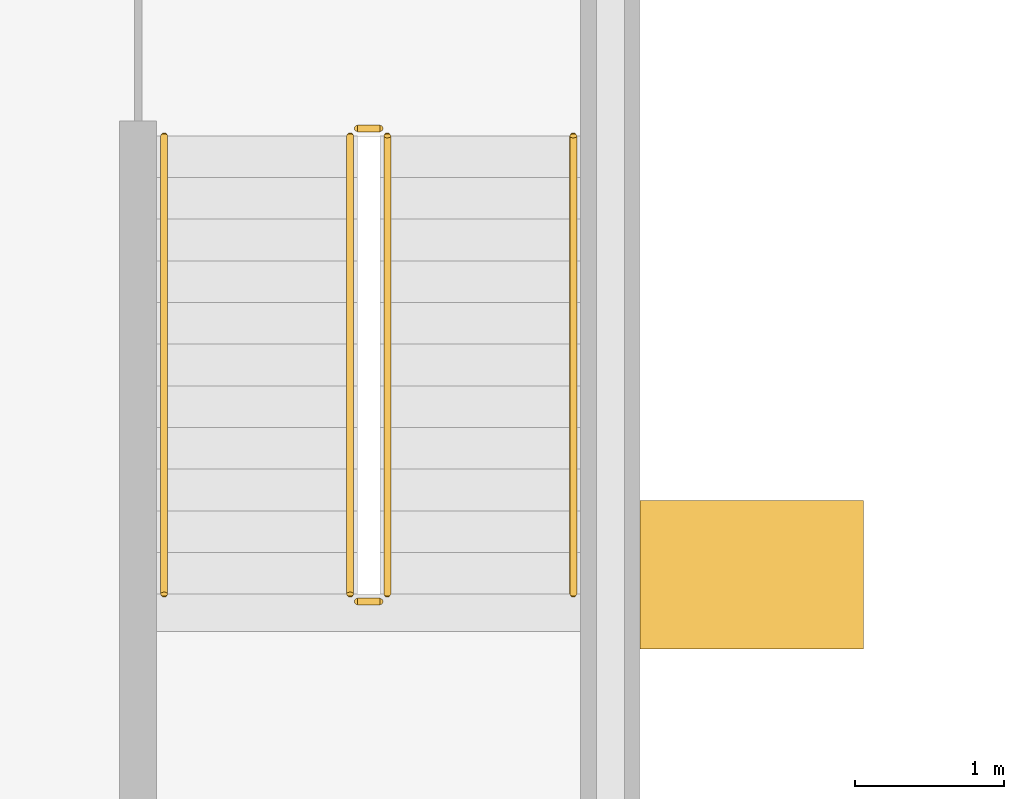
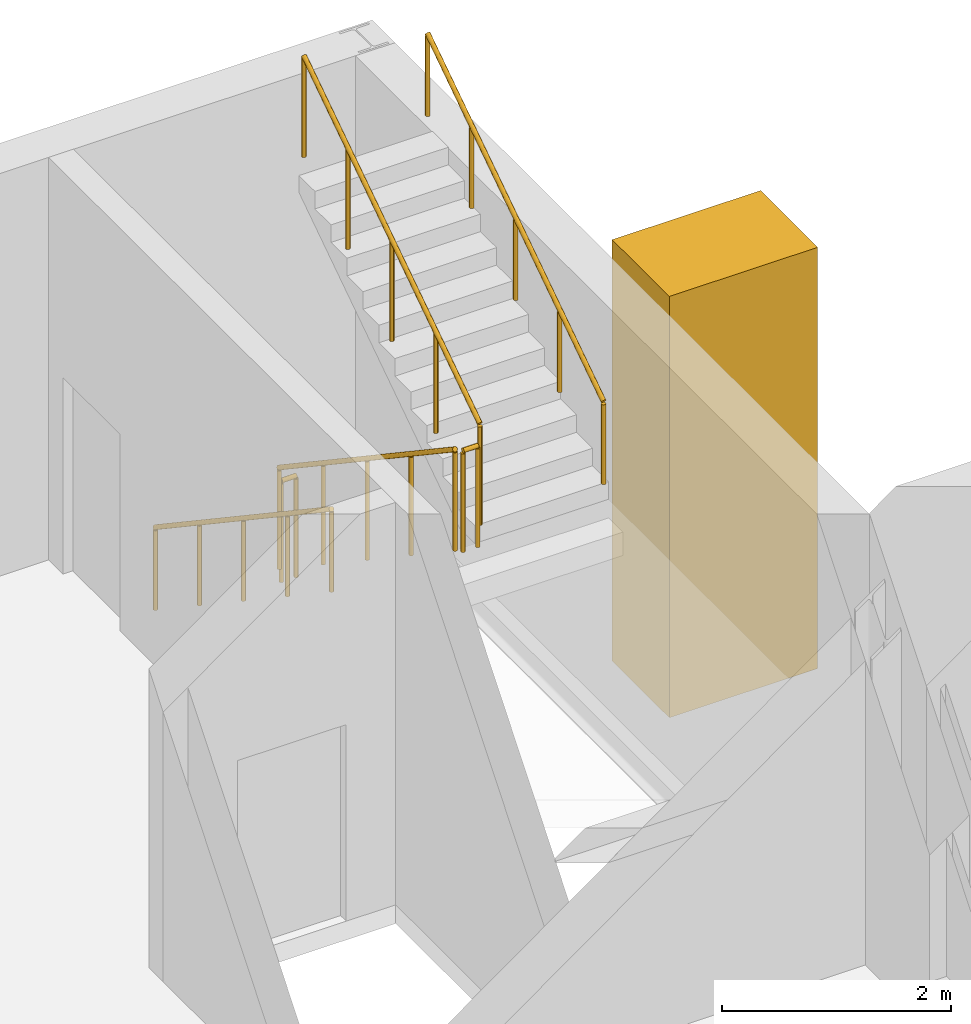
# One storey, part 132 of 134: 6 railings, 1 covering.
"""IFC4 building model written with IfcOpenShell, lengths in metres."""

from ifc_helpers import new_model, si_unit, direction, frame, origin, origin_2d, place, context, subcontext, project, spatial, polyline, circle, outline, extrude, material, type_object, element, save


model = new_model("IFC4")

# Units and contexts
model_context = context("Model", 3, precision=1e-05, world=origin(), true_north=direction((0.0, 1.0)))
body_context = subcontext(model_context, "Body", "Model", "MODEL_VIEW")
ifc_project = project(units=[si_unit("LENGTHUNIT", "METRE"), si_unit("AREAUNIT", "SQUARE_METRE"), si_unit("VOLUMEUNIT", "CUBIC_METRE"), si_unit("PLANEANGLEUNIT", "RADIAN"), si_unit("MASSUNIT", "GRAM", prefix="KILO")], contexts=[model_context])

# Site, building, storey
site_placement = place(None, origin())
site = spatial("IfcSite", under=ifc_project, at=site_placement, CompositionType="ELEMENT")
building_placement = place(site_placement, origin())
building = spatial("IfcBuilding", under=site, at=building_placement, Name="Golden Quay Civic Hall", CompositionType="ELEMENT")
storey_placement = place(building_placement, frame((0.0, 0.0, 5.39990234375)))
storey = spatial("IfcBuildingStorey", under=building, at=storey_placement, Name="L01", CompositionType="ELEMENT", Elevation=5.39990234375)

# Covering
ifc_material_1 = material(Name="Brick, dark clay facing", Category="masonry")
covering_type = type_object("IfcCoveringType", Name="Brick pier cladding 1000 x 1500", PredefinedType="CLADDING", material=ifc_material_1)
covering_placement = place(storey_placement, origin())
element("IfcCovering", 1, at=covering_placement, inside=storey, type_object=covering_type, Name="Brick pier cladding 1000 x 1500 L01 15", PredefinedType="CLADDING", context=body_context, shape_type="SweptSolid", body=[
    extrude(outline(polyline([(171.199951171875, 94.0), (171.199951171875, 95.0), (172.699951171875, 95.0), (172.699951171875, 94.0), (171.199951171875, 94.0)])), origin(), (0.0, 0.0, 1.0), 4.5),
])

# Railings
ifc_material_2 = material(Name="Steel S355", Category="steel")
railing_type_1 = type_object("IfcRailingType", Name="Steel guard 1100", PredefinedType="GUARDRAIL", material=ifc_material_2)
railing_1_placement = place(storey_placement, frame((169.25, 97.449951171875, 0.1875)))
element("IfcRailing", 2, at=railing_1_placement, inside=storey, type_object=railing_type_1, Name="L01 LB-STE stair guard 1", PredefinedType="GUARDRAIL", context=body_context, shape_type="SweptSolid", body=[
    extrude(circle(Radius=0.02392578125, at=origin_2d()), frame((0.0, 0.0, 1.076171875), z_axis=(0.0, -0.830893310487, 0.556431762742), x_axis=(1.0, 0.0, 0.0)), (0.0, 0.0, 1.0), 3.70654296875),
    extrude(circle(Radius=0.02099609375, at=origin_2d()), origin(), (0.0, 0.0, 1.0), 1.052001953125),
    extrude(circle(Radius=0.02099609375, at=origin_2d()), frame((0.0, -0.77001953125, 0.515625)), (0.0, 0.0, 1.0), 1.052001953125),
    extrude(circle(Radius=0.02099609375, at=origin_2d()), frame((0.0, -1.5400390625, 1.03125)), (0.0, 0.0, 1.0), 1.052001953125),
    extrude(circle(Radius=0.02099609375, at=origin_2d()), frame((0.0, -2.309814453125, 1.546875)), (0.0, 0.0, 1.0), 1.052001953125),
    extrude(circle(Radius=0.02099609375, at=origin_2d()), frame((0.0, -3.079833984375, 2.0625)), (0.0, 0.0, 1.0), 1.052001953125),
])
railing_2_placement = place(storey_placement, frame((169.300048828125, 94.320068359375, 2.25)))
element("IfcRailing", 3, at=railing_2_placement, inside=storey, type_object=railing_type_1, Name="L01 LB-STE stair guard 2", PredefinedType="GUARDRAIL", context=body_context, shape_type="SweptSolid", body=[
    extrude(circle(Radius=0.02392578125, at=origin_2d()), frame((0.0, 0.0, 1.076171875), z_axis=(1.0, 0.0, 0.0), x_axis=(0.0, 1.0, 0.0)), (0.0, 0.0, 1.0), 0.14990234375),
    extrude(circle(Radius=0.02099609375, at=origin_2d()), origin(), (0.0, 0.0, 1.0), 1.052001953125),
    extrude(circle(Radius=0.02099609375, at=origin_2d()), frame((0.14990234375, 0.0, 0.0)), (0.0, 0.0, 1.0), 1.052001953125),
])
railing_3_placement = place(storey_placement, frame((169.5, 94.3701171875, 2.4375)))
element("IfcRailing", 4, at=railing_3_placement, inside=storey, type_object=railing_type_1, Name="L01 LB-STE stair guard 3", PredefinedType="GUARDRAIL", context=body_context, shape_type="SweptSolid", body=[
    extrude(circle(Radius=0.02392578125, at=origin_2d()), frame((0.0, 0.0, 1.076171875), z_axis=(0.0, 0.830893310487, 0.556431762742), x_axis=(-1.0, 0.0, 0.0)), (0.0, 0.0, 1.0), 3.70654296875),
    extrude(circle(Radius=0.02099609375, at=origin_2d()), origin(), (0.0, 0.0, 1.0), 1.052001953125),
    extrude(circle(Radius=0.02099609375, at=origin_2d()), frame((0.0, 0.77001953125, 0.515625)), (0.0, 0.0, 1.0), 1.052001953125),
    extrude(circle(Radius=0.02099609375, at=origin_2d()), frame((0.0, 1.5400390625, 1.03125)), (0.0, 0.0, 1.0), 1.052001953125),
    extrude(circle(Radius=0.02099609375, at=origin_2d()), frame((0.0, 2.309814453125, 1.546875)), (0.0, 0.0, 1.0), 1.052001953125),
    extrude(circle(Radius=0.02099609375, at=origin_2d()), frame((0.0, 3.079833984375, 2.0625)), (0.0, 0.0, 1.0), 1.052001953125),
])
railing_4_placement = place(storey_placement, frame((169.300048828125, 97.5, 0.0)))
element("IfcRailing", 5, at=railing_4_placement, inside=storey, type_object=railing_type_1, Name="L01 LB-STE stair guard 4", PredefinedType="GUARDRAIL", context=body_context, shape_type="SweptSolid", body=[
    extrude(circle(Radius=0.02392578125, at=origin_2d()), frame((0.0, 0.0, 1.076171875), z_axis=(1.0, 0.0, 0.0), x_axis=(0.0, 1.0, 0.0)), (0.0, 0.0, 1.0), 0.14990234375),
    extrude(circle(Radius=0.02099609375, at=origin_2d()), origin(), (0.0, 0.0, 1.0), 1.052001953125),
    extrude(circle(Radius=0.02099609375, at=origin_2d()), frame((0.14990234375, 0.0, 0.0)), (0.0, 0.0, 1.0), 1.052001953125),
])
ifc_material_3 = material(Name="Steel S355", Category="steel")
railing_type_2 = type_object("IfcRailingType", Name="Steel handrail 900", PredefinedType="HANDRAIL", material=ifc_material_3)
railing_5_placement = place(storey_placement, frame((168.0, 97.449951171875, 0.1875)))
element("IfcRailing", 6, at=railing_5_placement, inside=storey, type_object=railing_type_2, Name="L01 LB-STE stair handrail 1", PredefinedType="HANDRAIL", context=body_context, shape_type="SweptSolid", body=[
    extrude(circle(Radius=0.02392578125, at=origin_2d()), frame((0.0, 0.0, 0.8759765625), z_axis=(0.0, -0.830893310487, 0.556431762742), x_axis=(1.0, 0.0, 0.0)), (0.0, 0.0, 1.0), 3.70654296875),
    extrude(circle(Radius=0.02099609375, at=origin_2d()), origin(), (0.0, 0.0, 1.0), 0.851806640625),
    extrude(circle(Radius=0.02099609375, at=origin_2d()), frame((0.0, -0.77001953125, 0.515625)), (0.0, 0.0, 1.0), 0.851806640625),
    extrude(circle(Radius=0.02099609375, at=origin_2d()), frame((0.0, -1.5400390625, 1.03125)), (0.0, 0.0, 1.0), 0.851806640625),
    extrude(circle(Radius=0.02099609375, at=origin_2d()), frame((0.0, -2.309814453125, 1.546875)), (0.0, 0.0, 1.0), 0.851806640625),
    extrude(circle(Radius=0.02099609375, at=origin_2d()), frame((0.0, -3.079833984375, 2.0625)), (0.0, 0.0, 1.0), 0.851806640625),
])
railing_6_placement = place(storey_placement, frame((170.75, 94.3701171875, 2.4375)))
element("IfcRailing", 7, at=railing_6_placement, inside=storey, type_object=railing_type_2, Name="L01 LB-STE stair handrail 2", PredefinedType="HANDRAIL", context=body_context, shape_type="SweptSolid", body=[
    extrude(circle(Radius=0.02392578125, at=origin_2d()), frame((0.0, 0.0, 0.8759765625), z_axis=(0.0, 0.830893310487, 0.556431762742), x_axis=(-1.0, 0.0, 0.0)), (0.0, 0.0, 1.0), 3.70654296875),
    extrude(circle(Radius=0.02099609375, at=origin_2d()), origin(), (0.0, 0.0, 1.0), 0.851806640625),
    extrude(circle(Radius=0.02099609375, at=origin_2d()), frame((0.0, 0.77001953125, 0.515625)), (0.0, 0.0, 1.0), 0.851806640625),
    extrude(circle(Radius=0.02099609375, at=origin_2d()), frame((0.0, 1.5400390625, 1.03125)), (0.0, 0.0, 1.0), 0.851806640625),
    extrude(circle(Radius=0.02099609375, at=origin_2d()), frame((0.0, 2.309814453125, 1.546875)), (0.0, 0.0, 1.0), 0.851806640625),
    extrude(circle(Radius=0.02099609375, at=origin_2d()), frame((0.0, 3.079833984375, 2.0625)), (0.0, 0.0, 1.0), 0.851806640625),
])

save(model, "model.ifc")
